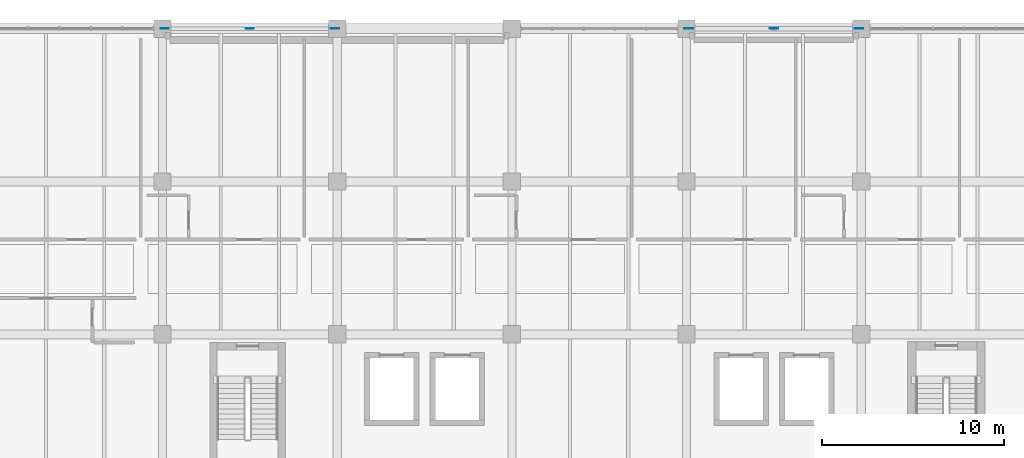
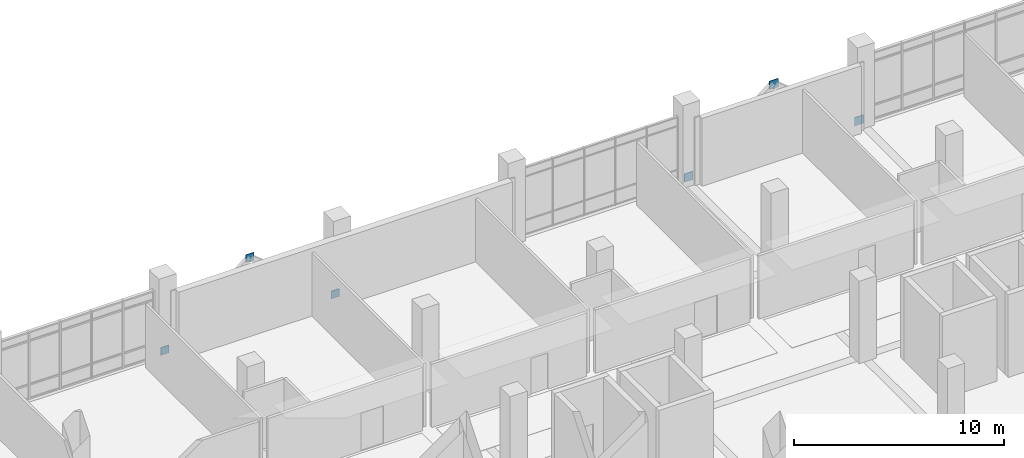
# One storey, part 117 of 152: 6 plates.
"""IFC4 building model written with IfcOpenShell, lengths in metres."""

import ifcopenshell
import ifcopenshell.guid

model = None  # the IFC model being written
_history = None  # IfcOwnerHistory: only IFC2X3 demands one
_inside = {}  # id of a spatial element -> (the spatial element, [elements in it])
_under = {}  # id of a project, library or spatial element -> (it, [spatial elements below it])
_declared = {}  # id of a project -> (the project, [libraries it declares])
_typed = {}  # id of a type object -> (the type object, [elements of that type])
_made_of = {}  # id of a material, layer set ... -> (it, [elements and type objects made of it])


def new_model(schema):
    """Start an empty IFC model of exactly this schema.

    Asked for "IFC4X3", IfcOpenShell would pick the latest addendum, in which some entities
    have other attributes; the version numbers below select the first issue.
    IFC2X3 requires an IfcOwnerHistory on every rooted entity: one is made here for all.
    """
    global model, _history
    if schema == "IFC4X3":
        model = ifcopenshell.file(schema_version=(4, 3, 0, 0))
    else:
        model = ifcopenshell.file(schema=schema)
    _inside.clear()
    _under.clear()
    _declared.clear()
    _typed.clear()
    _made_of.clear()
    _history = None
    if model.schema == "IFC2X3":
        org = make("IfcOrganization", Name="unknown")
        user = make(
            "IfcPersonAndOrganization",
            ThePerson=make("IfcPerson", FamilyName="unknown"),
            TheOrganization=org,
        )
        app = make(
            "IfcApplication",
            ApplicationDeveloper=org,
            Version="unknown",
            ApplicationFullName="unknown",
            ApplicationIdentifier="unknown",
        )
        _history = make(
            "IfcOwnerHistory",
            OwningUser=user,
            OwningApplication=app,
            ChangeAction="ADDED",
            CreationDate=0,
        )
    return model


def make(cls, **values):
    """One entity of the class cls with the attributes given. An attribute that is None is left unset."""
    return model.create_entity(
        cls, **{name: value for name, value in values.items() if value is not None}
    )


def rooted(cls, **values):
    """An entity with a GlobalId (a new one), such as an element, a storey or a relation."""
    return make(cls, GlobalId=ifcopenshell.guid.new(), OwnerHistory=_history, **values)


def si_unit(unit_type, name, prefix=None):
    """IfcSIUnit, for example si_unit("LENGTHUNIT", "METRE", prefix="MILLI")."""
    return make("IfcSIUnit", UnitType=unit_type, Prefix=prefix, Name=name)


def assignment(units):
    """IfcUnitAssignment: the units of a project."""
    return None if units is None else make("IfcUnitAssignment", Units=units)


def point(xyz):
    """IfcCartesianPoint."""
    return None if xyz is None else make("IfcCartesianPoint", Coordinates=xyz)


def direction(xyz):
    """IfcDirection."""
    return None if xyz is None else make("IfcDirection", DirectionRatios=xyz)


def frame(location, z_axis=None, x_axis=None):
    """IfcAxis2Placement3D, a coordinate frame: its origin and axes. An axis left out is left unset."""
    return make(
        "IfcAxis2Placement3D",
        Location=point(location),
        Axis=direction(z_axis),
        RefDirection=direction(x_axis),
    )


def frame_2d(location, x_axis=None):
    """IfcAxis2Placement2D, a coordinate frame in the plane: its origin and x axis."""
    return make(
        "IfcAxis2Placement2D", Location=point(location), RefDirection=direction(x_axis)
    )


def origin():
    """The frame at (0, 0, 0) with its axes left unset."""
    return frame((0.0, 0.0, 0.0))


def origin_2d():
    """The frame at (0, 0) in the plane with its x axis left unset."""
    return frame_2d((0.0, 0.0))


def place(relative_to, where):
    """IfcLocalPlacement: puts the frame where relative to a parent placement (None: the world)."""
    return make(
        "IfcLocalPlacement", PlacementRelTo=relative_to, RelativePlacement=where
    )


def context(
    kind, dimensions, precision=None, world=None, true_north=None, identifier=None
):
    """IfcGeometricRepresentationContext, for example the 3D "Model" context."""
    return make(
        "IfcGeometricRepresentationContext",
        ContextIdentifier=identifier,
        ContextType=kind,
        CoordinateSpaceDimension=dimensions,
        Precision=precision,
        WorldCoordinateSystem=world,
        TrueNorth=true_north,
    )


def subcontext(parent, identifier, kind, view, scale=None):
    """IfcGeometricRepresentationSubContext, for example "Body" below "Model"."""
    return make(
        "IfcGeometricRepresentationSubContext",
        ContextIdentifier=identifier,
        ContextType=kind,
        ParentContext=parent,
        TargetScale=scale,
        TargetView=view,
    )


def project(units=None, contexts=None):
    """IfcProject with its units and contexts."""
    return rooted(
        "IfcProject",
        Name="project",
        RepresentationContexts=contexts,
        UnitsInContext=assignment(units),
    )


def spatial(cls, under=None, at=None, **own):
    """A site, building, storey or space (cls), placed at a placement, below another one or the project."""
    s = rooted(cls, ObjectPlacement=at, **own)
    if under is not None:
        _under.setdefault(under.id(), (under, []))[1].append(s)
    return s


def profile(cls, at=None, kind="AREA", **sizes):
    """A parametric profile (cls). Its sizes go by their IFC names, for example OverallWidth=200.0."""
    return make(cls, ProfileType=kind, Position=at, **sizes)


def rectangle(**sizes):
    """IfcRectangleProfileDef."""
    return profile("IfcRectangleProfileDef", **sizes)


def extrude(swept, where, along, depth):
    """IfcExtrudedAreaSolid: the profile swept, set in the frame where, extruded along a direction by depth."""
    return make(
        "IfcExtrudedAreaSolid",
        SweptArea=swept,
        Position=where,
        ExtrudedDirection=direction(along),
        Depth=depth,
    )


def shape(context_of_items, identifier, shape_type, items):
    """IfcShapeRepresentation: the items that make up one representation, for example the "Body"."""
    return make(
        "IfcShapeRepresentation",
        ContextOfItems=context_of_items,
        RepresentationIdentifier=identifier,
        RepresentationType=shape_type,
        Items=items,
    )


def material(Name=None, Category=None):
    """IfcMaterial."""
    return make("IfcMaterial", Name=Name, Category=Category)


def layer(
    of_material, thickness, ventilated=None, Name=None, Category=None, Priority=None
):
    """IfcMaterialLayer: one layer of a wall or slab, of a material (None: an air gap)."""
    return make(
        "IfcMaterialLayer",
        Material=of_material,
        LayerThickness=thickness,
        IsVentilated=ventilated,
        Name=Name,
        Category=Category,
        Priority=Priority,
    )


def layer_set(layers, Name=None):
    """IfcMaterialLayerSet."""
    return make("IfcMaterialLayerSet", MaterialLayers=layers, LayerSetName=Name)


def made_of(thing, what):
    """Note that an element or type object is made of a material, layer set ...; save() writes the relation."""
    if what is not None:
        _made_of.setdefault(what.id(), (what, []))[1].append(thing)
    return thing


def type_object(cls, material=None, **own):
    """A type object (cls), such as IfcWallType, which elements share."""
    return made_of(rooted(cls, **own), material)


def element(
    cls,
    number,
    at=None,
    inside=None,
    cuts=None,
    type_object=None,
    material=None,
    context=None,
    identifier="Body",
    shape_type=None,
    held_by="IfcProductDefinitionShape",
    body=None,
    shapes=None,
    **own,
):
    """One element of the class cls, such as IfcWall. Its Tag is "e" and its number.

    at: its placement. inside: the storey or other place that contains it. cuts: it is an
    opening in that element (IfcRelVoidsElement). A single representation is given by context,
    identifier, shape_type and body (its items); several are given by shapes. held_by: the class
    of the entity that holds the representations. save() writes the other relations.
    """
    e = rooted(cls, Tag="e%d" % number, ObjectPlacement=at, **own)
    if body is not None:
        shapes = [shape(context, identifier, shape_type, body)]
    if shapes is not None:
        e.Representation = make(held_by, Representations=shapes)
    if inside is not None:
        _inside.setdefault(inside.id(), (inside, []))[1].append(e)
    if cuts is not None:
        rooted(
            "IfcRelVoidsElement", RelatingBuildingElement=cuts, RelatedOpeningElement=e
        )
    if type_object is not None:
        _typed.setdefault(type_object.id(), (type_object, []))[1].append(e)
    return made_of(e, material)


def aggregate(whole, parts):
    """IfcRelAggregates: a whole, such as a stair, and the parts it consists of."""
    return rooted("IfcRelAggregates", RelatingObject=whole, RelatedObjects=parts)


def save(model, path):
    """Write the relations noted so far, then the file.

    IfcRelAggregates (storeys below a building ...), IfcRelContainedInSpatialStructure (elements
    in a storey), IfcRelDefinesByType, IfcRelAssociatesMaterial and IfcRelDeclares: one each for
    every whole, place, type object, material and project.
    """
    for whole, parts in _under.values():
        aggregate(whole, parts)
    for where, things in _inside.values():
        rooted(
            "IfcRelContainedInSpatialStructure",
            RelatedElements=things,
            RelatingStructure=where,
        )
    for kind, things in _typed.values():
        rooted("IfcRelDefinesByType", RelatedObjects=things, RelatingType=kind)
    for what, things in _made_of.values():
        rooted("IfcRelAssociatesMaterial", RelatedObjects=things, RelatingMaterial=what)
    for by, libraries in _declared.values():
        rooted("IfcRelDeclares", RelatingContext=by, RelatedDefinitions=libraries)
    model.write(path)


model = new_model("IFC4")

# Units and contexts
model_context = context("Model", 3, precision=1e-05, world=origin(), true_north=direction((0.0, 1.0)))
body_context = subcontext(model_context, "Body", "Model", "MODEL_VIEW")
ifc_project = project(units=[si_unit("LENGTHUNIT", "METRE"), si_unit("AREAUNIT", "SQUARE_METRE"), si_unit("VOLUMEUNIT", "CUBIC_METRE"), si_unit("PLANEANGLEUNIT", "RADIAN"), si_unit("MASSUNIT", "GRAM", prefix="KILO")], contexts=[model_context])

# Site, building, storey
site_placement = place(None, origin())
site = spatial("IfcSite", under=ifc_project, at=site_placement, CompositionType="ELEMENT")
building_placement = place(site_placement, origin())
building = spatial("IfcBuilding", under=site, at=building_placement, Name="Oolite Switchyard Hospital", CompositionType="ELEMENT")
storey_placement = place(building_placement, frame((0.0, 0.0, 5.10009765625)))
storey = spatial("IfcBuildingStorey", under=building, at=storey_placement, Name="L01", CompositionType="ELEMENT", Elevation=5.10009765625)

# Plates
ifc_material = material(Name="Steel ASTM A572 Grade 50", Category="steel")
ifc_layer_1 = layer(ifc_material, 0.030029296875)
ifc_layer_set_1 = layer_set([ifc_layer_1], Name="PLT-GUS-450")
plate_type_1 = type_object("IfcPlateType", Name="PLT-GUS-450", PredefinedType="SHEET", material=ifc_layer_set_1)
for number, where, z_axis, x_axis, name in (
    (1, (153.719970703125, 134.39990234375, -0.02490234375), (0.0, 0.0, 1.0), (1.0, 0.0, 0.0), "L01 Brace Base Gusset Plate 46"),
    (2, (163.080078125, 134.39990234375, -0.02490234375), (0.0, 0.0, 1.0), (1.0, 0.0, 0.0), "L01 Brace Base Gusset Plate 47"),
    (3, (158.39990234375, 134.39990234375, 3.72509765625), (0.0, 0.0, 1.0), (1.0, 0.0, 0.0), "L01 Gusset Connection Plate 48"),
):
    element("IfcPlate", number, at=place(storey_placement, frame(where, z_axis=z_axis, x_axis=x_axis)), inside=storey, type_object=plate_type_1, Name=name, PredefinedType="SHEET", context=body_context, shape_type="SweptSolid", body=[
        extrude(rectangle(XDim=0.449951171875, YDim=0.030029296875, at=origin_2d()), origin(), (0.0, 0.0, 1.0), 0.449951171875),
    ])
ifc_layer_2 = layer(ifc_material, 0.031982421875)
ifc_layer_set_2 = layer_set([ifc_layer_2], Name="PLT-GUS-480")
plate_type_2 = type_object("IfcPlateType", Name="PLT-GUS-480", PredefinedType="SHEET", material=ifc_layer_set_2)
for number, where, z_axis, x_axis, name in (
    (4, (182.52001953125, 134.39990234375, -0.0400390625), (0.0, 0.0, 1.0), (1.0, 0.0, 0.0), "L01 Brace Base Gusset Plate 70"),
    (5, (191.8798828125, 134.39990234375, -0.0400390625), (0.0, 0.0, 1.0), (1.0, 0.0, 0.0), "L01 Brace Base Gusset Plate 71"),
    (6, (187.199951171875, 134.39990234375, 3.7099609375), (0.0, 0.0, 1.0), (1.0, 0.0, 0.0), "L01 Gusset Connection Plate 72"),
):
    element("IfcPlate", number, at=place(storey_placement, frame(where, z_axis=z_axis, x_axis=x_axis)), inside=storey, type_object=plate_type_2, Name=name, PredefinedType="SHEET", context=body_context, shape_type="SweptSolid", body=[
        extrude(rectangle(XDim=0.47998046875, YDim=0.031982421875, at=origin_2d()), origin(), (0.0, 0.0, 1.0), 0.47998046875),
    ])

save(model, "model.ifc")
